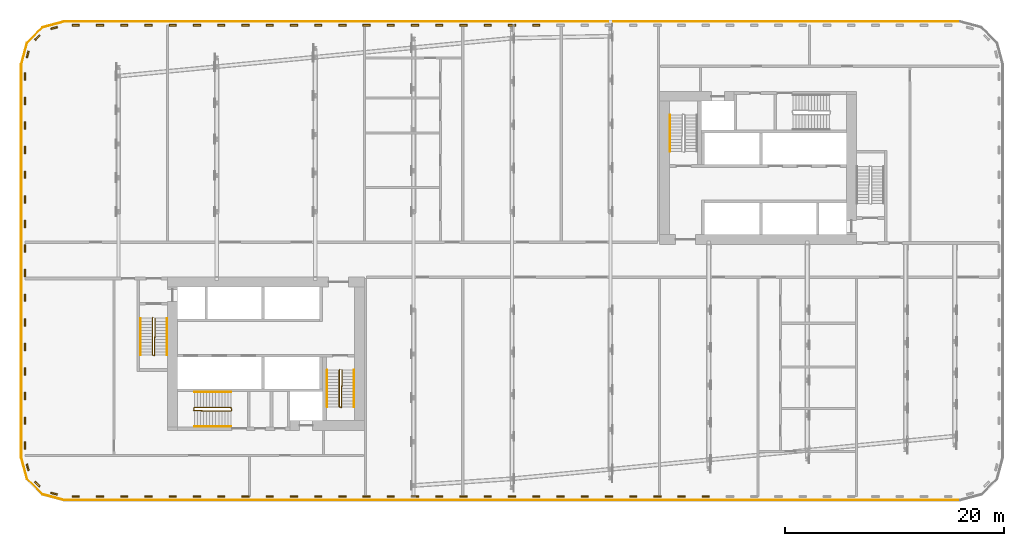
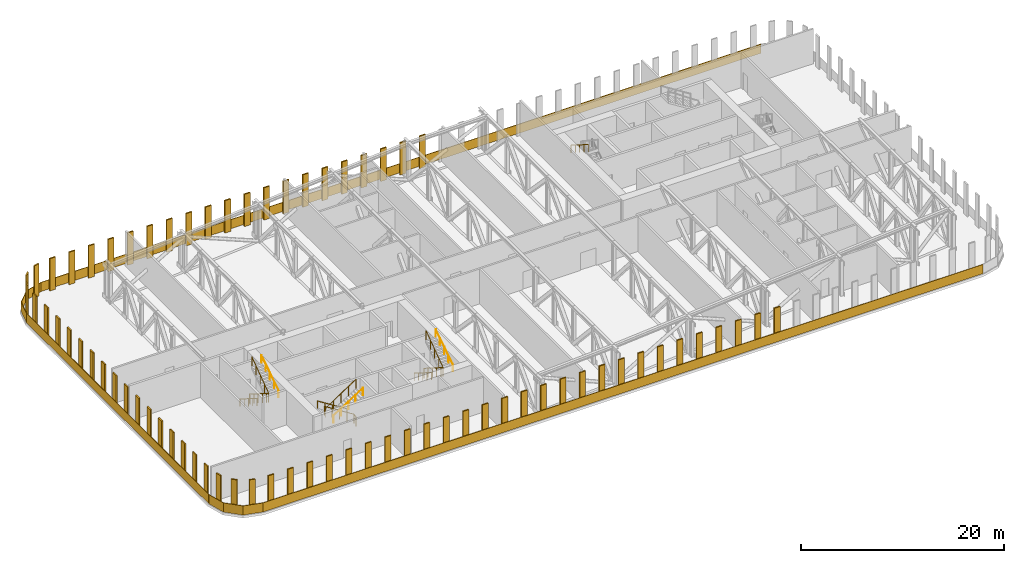
# One storey, part 21 of 22: 69 shading devices, 19 railings.
"""IFC4 building model written with IfcOpenShell, lengths in metres."""

from ifc_helpers import new_model, si_unit, direction, frame, origin, origin_2d, place, context, subcontext, project, spatial, polyline, rectangle, circle, outline, extrude, material, type_object, element, save


model = new_model("IFC4")

# Units and contexts
model_context = context("Model", 3, precision=1e-05, world=origin(), true_north=direction((0.0, 1.0)))
body_context = subcontext(model_context, "Body", "Model", "MODEL_VIEW")
ifc_project = project(units=[si_unit("LENGTHUNIT", "METRE"), si_unit("AREAUNIT", "SQUARE_METRE"), si_unit("VOLUMEUNIT", "CUBIC_METRE"), si_unit("PLANEANGLEUNIT", "RADIAN"), si_unit("MASSUNIT", "GRAM", prefix="KILO")], contexts=[model_context])

# Site, building, storey
site_placement = place(None, origin())
site = spatial("IfcSite", under=ifc_project, at=site_placement, CompositionType="ELEMENT")
building_placement = place(site_placement, origin())
building = spatial("IfcBuilding", under=site, at=building_placement, Name="Kajstack Hotel Tower", CompositionType="ELEMENT")
storey_placement = place(building_placement, frame((0.0, 0.0, 99.60009765625)))
storey = spatial("IfcBuildingStorey", under=building, at=storey_placement, Name="L21", CompositionType="ELEMENT", Elevation=99.60009765625)

# Railings
ifc_material = material(Name="Steel S355J2", Category="steel")
railing_type_1 = type_object("IfcRailingType", Name="GUARD-FACADE", PredefinedType="GUARDRAIL", material=ifc_material)
railing_1_placement = place(storey_placement, frame((-44.3564453125, -19.93798828125, 0.0)))
element("IfcRailing", 1, at=railing_1_placement, inside=storey, type_object=railing_type_1, Name="Guard L21 slab edge 01", PredefinedType="GUARDRAIL", context=body_context, shape_type="SweptSolid", body=[
    extrude(outline(polyline([(1.439697265625, -1.397216796875), (1.397216796875, -1.439697265625), (-0.021240234375, -0.021240234375), (0.021240234375, 0.021240234375), (1.439697265625, -1.397216796875)])), origin(), (0.0, 0.0, 1.0), 1.10009765625),
])
railing_2_placement = place(storey_placement, frame((-42.93798828125, -21.3564453125, 0.0)))
element("IfcRailing", 2, at=railing_2_placement, inside=storey, type_object=railing_type_1, Name="Guard L21 slab edge 02", PredefinedType="GUARDRAIL", context=body_context, shape_type="SweptSolid", body=[
    extrude(outline(polyline([(1.961669921875, -0.494384765625), (1.946044921875, -0.552490234375), (-0.0078125, -0.029052734375), (0.0078125, 0.029052734375), (1.961669921875, -0.494384765625)])), origin(), (0.0, 0.0, 1.0), 1.10009765625),
])
railing_3_placement = place(storey_placement, frame((-40.984130859375, -21.8798828125, 0.0)))
element("IfcRailing", 3, at=railing_3_placement, inside=storey, type_object=railing_type_1, Name="Guard L21 slab edge 03", PredefinedType="GUARDRAIL", context=body_context, shape_type="SweptSolid", body=[
    extrude(outline(polyline([(81.96826171875, 0.030029296875), (81.96826171875, -0.030029296875), (0.0, -0.030029296875), (0.0, 0.030029296875), (81.96826171875, 0.030029296875)])), origin(), (0.0, 0.0, 1.0), 1.10009765625),
])
railing_4_placement = place(storey_placement, frame((40.984130859375, 21.8798828125, 0.0)))
element("IfcRailing", 4, at=railing_4_placement, inside=storey, type_object=railing_type_1, Name="Guard L21 slab edge 11", PredefinedType="GUARDRAIL", context=body_context, shape_type="SweptSolid", body=[
    extrude(outline(polyline([(-81.96826171875, -0.030029296875), (-81.96826171875, 0.030029296875), (0.0, 0.030029296875), (0.0, -0.030029296875), (-81.96826171875, -0.030029296875)])), origin(), (0.0, 0.0, 1.0), 1.10009765625),
])
railing_5_placement = place(storey_placement, frame((-40.984130859375, 21.8798828125, 0.0)))
element("IfcRailing", 5, at=railing_5_placement, inside=storey, type_object=railing_type_1, Name="Guard L21 slab edge 12", PredefinedType="GUARDRAIL", context=body_context, shape_type="SweptSolid", body=[
    extrude(outline(polyline([(-1.946044921875, -0.552490234375), (-1.961669921875, -0.494384765625), (-0.0078125, 0.029052734375), (0.0078125, -0.029052734375), (-1.946044921875, -0.552490234375)])), origin(), (0.0, 0.0, 1.0), 1.10009765625),
])
railing_6_placement = place(storey_placement, frame((-42.93798828125, 21.3564453125, 0.0)))
element("IfcRailing", 6, at=railing_6_placement, inside=storey, type_object=railing_type_1, Name="Guard L21 slab edge 13", PredefinedType="GUARDRAIL", context=body_context, shape_type="SweptSolid", body=[
    extrude(outline(polyline([(-1.397216796875, -1.439697265625), (-1.439697265625, -1.397216796875), (-0.021240234375, 0.021240234375), (0.021240234375, -0.021240234375), (-1.397216796875, -1.439697265625)])), origin(), (0.0, 0.0, 1.0), 1.10009765625),
])
railing_7_placement = place(storey_placement, frame((-44.3564453125, 19.93798828125, 0.0)))
element("IfcRailing", 7, at=railing_7_placement, inside=storey, type_object=railing_type_1, Name="Guard L21 slab edge 14", PredefinedType="GUARDRAIL", context=body_context, shape_type="SweptSolid", body=[
    extrude(outline(polyline([(-0.494384765625, -1.961669921875), (-0.552490234375, -1.946044921875), (-0.029052734375, 0.0078125), (0.029052734375, -0.0078125), (-0.494384765625, -1.961669921875)])), origin(), (0.0, 0.0, 1.0), 1.10009765625),
])
railing_8_placement = place(storey_placement, frame((-44.8798828125, 17.984130859375, 0.0)))
element("IfcRailing", 8, at=railing_8_placement, inside=storey, type_object=railing_type_1, Name="Guard L21 slab edge 15", PredefinedType="GUARDRAIL", context=body_context, shape_type="SweptSolid", body=[
    extrude(outline(polyline([(0.030029296875, -35.96826171875), (-0.030029296875, -35.96826171875), (-0.030029296875, 0.0), (0.030029296875, 0.0), (0.030029296875, -35.96826171875)])), origin(), (0.0, 0.0, 1.0), 1.10009765625),
])
railing_9_placement = place(storey_placement, frame((-44.8798828125, -17.984130859375, 0.0)))
element("IfcRailing", 9, at=railing_9_placement, inside=storey, type_object=railing_type_1, Name="Guard L21 slab edge 16", PredefinedType="GUARDRAIL", context=body_context, shape_type="SweptSolid", body=[
    extrude(outline(polyline([(0.552490234375, -1.946044921875), (0.494384765625, -1.961669921875), (-0.029052734375, -0.0078125), (0.029052734375, 0.0078125), (0.552490234375, -1.946044921875)])), origin(), (0.0, 0.0, 1.0), 1.10009765625),
])
railing_type_2 = type_object("IfcRailingType", Name="Stair guard 1100", PredefinedType="GUARDRAIL", material=ifc_material)
railing_10_placement = place(storey_placement, frame((-32.85009765625, -5.199951171875, 0.0)))
element("IfcRailing", 10, at=railing_10_placement, inside=storey, type_object=railing_type_2, Name="L21 W1 stair guard 1", PredefinedType="GUARDRAIL", context=body_context, shape_type="SweptSolid", body=[
    extrude(circle(Radius=0.02392578125, at=origin_2d()), frame((0.0, 0.0, 1.076171875), z_axis=(-0.261663861435, -0.262946527422, 0.928650174897), x_axis=(0.708833529934, -0.705375805398, 0.0)), (0.0, 0.0, 1.0), 0.1904296875),
    extrude(circle(Radius=0.02392578125, at=origin_2d()), frame((-0.0498046875, -0.050048828125, 1.2529296875), z_axis=(0.0, -0.845389635667, 0.534150132366), x_axis=(1.0, 0.0, 0.0)), (0.0, 0.0, 1.0), 3.974609375),
    extrude(circle(Radius=0.02392578125, at=origin_2d()), frame((-0.0498046875, -3.41015625, 3.3759765625), z_axis=(0.970351222016, -0.241699205484, 0.0), x_axis=(0.241699205484, 0.970351222016, 0.0)), (0.0, 0.0, 1.0), 0.2060546875),
    extrude(circle(Radius=0.02392578125, at=origin_2d()), frame((0.150146484375, -3.4599609375, 3.3759765625), z_axis=(0.012167203753, 0.828972364935, 0.559157202696), x_axis=(-0.999892303572, 0.014675873289, 0.0)), (0.0, 0.0, 1.0), 4.113525390625),
    extrude(circle(Radius=0.02099609375, at=origin_2d()), origin(), (0.0, 0.0, 1.0), 1.052001953125),
    extrude(circle(Radius=0.02099609375, at=origin_2d()), frame((-0.0498046875, -0.050048828125, 0.1767578125)), (0.0, 0.0, 1.0), 1.052001953125),
    extrude(circle(Radius=0.02099609375, at=origin_2d()), frame((-0.0498046875, -0.89013671875, 0.70751953125)), (0.0, 0.0, 1.0), 1.052001953125),
    extrude(circle(Radius=0.02099609375, at=origin_2d()), frame((-0.0498046875, -1.72998046875, 1.23828125)), (0.0, 0.0, 1.0), 1.052001953125),
    extrude(circle(Radius=0.02099609375, at=origin_2d()), frame((-0.0498046875, -2.570068359375, 1.76904296875)), (0.0, 0.0, 1.0), 1.052001953125),
    extrude(circle(Radius=0.02099609375, at=origin_2d()), frame((-0.0498046875, -3.41015625, 2.2998046875)), (0.0, 0.0, 1.0), 1.052001953125),
    extrude(circle(Radius=0.02099609375, at=origin_2d()), frame((0.150146484375, -3.4599609375, 2.2998046875)), (0.0, 0.0, 1.0), 1.052001953125),
    extrude(circle(Radius=0.02099609375, at=origin_2d()), frame((0.16259765625, -2.607421875, 2.874755859375)), (0.0, 0.0, 1.0), 1.052001953125),
    extrude(circle(Radius=0.02099609375, at=origin_2d()), frame((0.17529296875, -1.7548828125, 3.44970703125)), (0.0, 0.0, 1.0), 1.052001953125),
    extrude(circle(Radius=0.02099609375, at=origin_2d()), frame((0.187744140625, -0.902587890625, 4.02490234375)), (0.0, 0.0, 1.0), 1.052001953125),
    extrude(circle(Radius=0.02099609375, at=origin_2d()), frame((0.2001953125, -0.050048828125, 4.599853515625)), (0.0, 0.0, 1.0), 1.052001953125),
])
railing_11_placement = place(storey_placement, frame((-15.75, -9.949951171875, 0.0)))
element("IfcRailing", 11, at=railing_11_placement, inside=storey, type_object=railing_type_2, Name="L21 W2 stair guard 1", PredefinedType="GUARDRAIL", context=body_context, shape_type="SweptSolid", body=[
    extrude(circle(Radius=0.02392578125, at=origin_2d()), frame((0.0, 0.0, 1.076171875), z_axis=(-0.262858103699, -0.262858103699, 0.928337888185), x_axis=(0.707106781187, -0.707106781187, 0.0)), (0.0, 0.0, 1.0), 0.1904296875),
    extrude(circle(Radius=0.02392578125, at=origin_2d()), frame((-0.050048828125, -0.050048828125, 1.2529296875), z_axis=(0.0, -0.845389635667, 0.534150132366), x_axis=(1.0, 0.0, 0.0)), (0.0, 0.0, 1.0), 3.974609375),
    extrude(circle(Radius=0.02392578125, at=origin_2d()), frame((-0.050048828125, -3.41015625, 3.3759765625), z_axis=(0.970351222016, -0.241699205484, 0.0), x_axis=(0.241699205484, 0.970351222016, 0.0)), (0.0, 0.0, 1.0), 0.2060546875),
    extrude(circle(Radius=0.02392578125, at=origin_2d()), frame((0.14990234375, -3.4599609375, 3.3759765625), z_axis=(0.012167203753, 0.828972364935, 0.559157202696), x_axis=(-0.999892303572, 0.014675873289, 0.0)), (0.0, 0.0, 1.0), 4.113525390625),
    extrude(circle(Radius=0.02099609375, at=origin_2d()), origin(), (0.0, 0.0, 1.0), 1.052001953125),
    extrude(circle(Radius=0.02099609375, at=origin_2d()), frame((-0.050048828125, -0.050048828125, 0.1767578125)), (0.0, 0.0, 1.0), 1.052001953125),
    extrude(circle(Radius=0.02099609375, at=origin_2d()), frame((-0.050048828125, -0.89013671875, 0.70751953125)), (0.0, 0.0, 1.0), 1.052001953125),
    extrude(circle(Radius=0.02099609375, at=origin_2d()), frame((-0.050048828125, -1.72998046875, 1.23828125)), (0.0, 0.0, 1.0), 1.052001953125),
    extrude(circle(Radius=0.02099609375, at=origin_2d()), frame((-0.050048828125, -2.570068359375, 1.76904296875)), (0.0, 0.0, 1.0), 1.052001953125),
    extrude(circle(Radius=0.02099609375, at=origin_2d()), frame((-0.050048828125, -3.41015625, 2.2998046875)), (0.0, 0.0, 1.0), 1.052001953125),
    extrude(circle(Radius=0.02099609375, at=origin_2d()), frame((0.14990234375, -3.4599609375, 2.2998046875)), (0.0, 0.0, 1.0), 1.052001953125),
    extrude(circle(Radius=0.02099609375, at=origin_2d()), frame((0.162353515625, -2.607421875, 2.874755859375)), (0.0, 0.0, 1.0), 1.052001953125),
    extrude(circle(Radius=0.02099609375, at=origin_2d()), frame((0.1748046875, -1.7548828125, 3.44970703125)), (0.0, 0.0, 1.0), 1.052001953125),
    extrude(circle(Radius=0.02099609375, at=origin_2d()), frame((0.1875, -0.902587890625, 4.02490234375)), (0.0, 0.0, 1.0), 1.052001953125),
    extrude(circle(Radius=0.02099609375, at=origin_2d()), frame((0.199951171875, -0.050048828125, 4.599853515625)), (0.0, 0.0, 1.0), 1.052001953125),
])
railing_12_placement = place(storey_placement, frame((-25.64990234375, -13.699951171875, 0.0)))
element("IfcRailing", 12, at=railing_12_placement, inside=storey, type_object=railing_type_2, Name="L21 W3 stair guard 1", PredefinedType="GUARDRAIL", context=body_context, shape_type="SweptSolid", body=[
    extrude(circle(Radius=0.02392578125, at=origin_2d()), frame((0.0, 0.0, 1.076171875), z_axis=(-0.142256803, 0.852846882373, 0.502409392057), x_axis=(-0.986372223864, -0.164529134168, 0.0)), (0.0, 0.0, 1.0), 0.351806640625),
    extrude(circle(Radius=0.02392578125, at=origin_2d()), frame((-0.050048828125, 0.300048828125, 1.2529296875), z_axis=(-0.845389635667, 0.0, 0.534150132366), x_axis=(0.0, -1.0, 0.0)), (0.0, 0.0, 1.0), 3.974609375),
    extrude(circle(Radius=0.02392578125, at=origin_2d()), frame((-3.41015625, 0.300048828125, 3.3759765625), z_axis=(-0.164529134168, -0.986372223864, 0.0), x_axis=(0.986372223864, -0.164529134168, 0.0)), (0.0, 0.0, 1.0), 0.30419921875),
    extrude(circle(Radius=0.02392578125, at=origin_2d()), frame((-3.460205078125, 0.0, 3.3759765625), z_axis=(0.828990929223, -0.012166605133, 0.559129692455), x_axis=(0.014674822837, 0.99989231899, 0.0)), (0.0, 0.0, 1.0), 4.113525390625),
    extrude(circle(Radius=0.02099609375, at=origin_2d()), origin(), (0.0, 0.0, 1.0), 1.052001953125),
    extrude(circle(Radius=0.02099609375, at=origin_2d()), frame((-0.050048828125, 0.300048828125, 0.1767578125)), (0.0, 0.0, 1.0), 1.052001953125),
    extrude(circle(Radius=0.02099609375, at=origin_2d()), frame((-0.89013671875, 0.300048828125, 0.70751953125)), (0.0, 0.0, 1.0), 1.052001953125),
    extrude(circle(Radius=0.02099609375, at=origin_2d()), frame((-1.72998046875, 0.300048828125, 1.23828125)), (0.0, 0.0, 1.0), 1.052001953125),
    extrude(circle(Radius=0.02099609375, at=origin_2d()), frame((-2.570068359375, 0.300048828125, 1.76904296875)), (0.0, 0.0, 1.0), 1.052001953125),
    extrude(circle(Radius=0.02099609375, at=origin_2d()), frame((-3.41015625, 0.300048828125, 2.2998046875)), (0.0, 0.0, 1.0), 1.052001953125),
    extrude(circle(Radius=0.02099609375, at=origin_2d()), frame((-3.460205078125, 0.0, 2.2998046875)), (0.0, 0.0, 1.0), 1.052001953125),
    extrude(circle(Radius=0.02099609375, at=origin_2d()), frame((-2.607666015625, -0.012451171875, 2.874755859375)), (0.0, 0.0, 1.0), 1.052001953125),
    extrude(circle(Radius=0.02099609375, at=origin_2d()), frame((-1.755126953125, -0.02490234375, 3.44970703125)), (0.0, 0.0, 1.0), 1.052001953125),
    extrude(circle(Radius=0.02099609375, at=origin_2d()), frame((-0.902587890625, -0.03759765625, 4.02490234375)), (0.0, 0.0, 1.0), 1.052001953125),
    extrude(circle(Radius=0.02099609375, at=origin_2d()), frame((-0.050048828125, -0.050048828125, 4.599853515625)), (0.0, 0.0, 1.0), 1.052001953125),
])
railing_type_3 = type_object("IfcRailingType", Name="Stair handrail 900", PredefinedType="HANDRAIL", material=ifc_material)
railing_13_placement = place(storey_placement, frame((-34.0, -5.25, 0.1767578125)))
element("IfcRailing", 13, at=railing_13_placement, inside=storey, type_object=railing_type_3, Name="L21 W1 stair handrail 1", PredefinedType="HANDRAIL", context=body_context, shape_type="SweptSolid", body=[
    extrude(circle(Radius=0.02392578125, at=origin_2d()), frame((0.0, 0.0, 0.8759765625), z_axis=(0.0, -0.845389635667, 0.534150132366), x_axis=(1.0, 0.0, 0.0)), (0.0, 0.0, 1.0), 3.974609375),
    extrude(circle(Radius=0.02099609375, at=origin_2d()), origin(), (0.0, 0.0, 1.0), 0.851806640625),
    extrude(circle(Radius=0.02099609375, at=origin_2d()), frame((0.0, -0.840087890625, 0.53076171875)), (0.0, 0.0, 1.0), 0.851806640625),
    extrude(circle(Radius=0.02099609375, at=origin_2d()), frame((0.0, -1.68017578125, 1.0615234375)), (0.0, 0.0, 1.0), 0.851806640625),
    extrude(circle(Radius=0.02099609375, at=origin_2d()), frame((0.0, -2.52001953125, 1.59228515625)), (0.0, 0.0, 1.0), 0.851806640625),
    extrude(circle(Radius=0.02099609375, at=origin_2d()), frame((0.0, -3.360107421875, 2.123046875)), (0.0, 0.0, 1.0), 0.851806640625),
])
railing_14_placement = place(storey_placement, frame((-31.550048828125, -8.610107421875, 2.476806640625)))
element("IfcRailing", 14, at=railing_14_placement, inside=storey, type_object=railing_type_3, Name="L21 W1 stair handrail 2", PredefinedType="HANDRAIL", context=body_context, shape_type="SweptSolid", body=[
    extrude(circle(Radius=0.02392578125, at=origin_2d()), frame((0.0, 0.0, 0.8759765625), z_axis=(0.0, 0.845389635667, 0.534150132366), x_axis=(-1.0, 0.0, 0.0)), (0.0, 0.0, 1.0), 3.974609375),
    extrude(circle(Radius=0.02099609375, at=origin_2d()), origin(), (0.0, 0.0, 1.0), 0.851806640625),
    extrude(circle(Radius=0.02099609375, at=origin_2d()), frame((0.0, 0.840087890625, 0.53076171875)), (0.0, 0.0, 1.0), 0.851806640625),
    extrude(circle(Radius=0.02099609375, at=origin_2d()), frame((0.0, 1.68017578125, 1.0615234375)), (0.0, 0.0, 1.0), 0.851806640625),
    extrude(circle(Radius=0.02099609375, at=origin_2d()), frame((0.0, 2.52001953125, 1.59228515625)), (0.0, 0.0, 1.0), 0.851806640625),
    extrude(circle(Radius=0.02099609375, at=origin_2d()), frame((0.0, 3.360107421875, 2.123046875)), (0.0, 0.0, 1.0), 0.851806640625),
])
railing_15_placement = place(storey_placement, frame((-16.89990234375, -10.0, 0.1767578125)))
element("IfcRailing", 15, at=railing_15_placement, inside=storey, type_object=railing_type_3, Name="L21 W2 stair handrail 1", PredefinedType="HANDRAIL", context=body_context, shape_type="SweptSolid", body=[
    extrude(circle(Radius=0.02392578125, at=origin_2d()), frame((0.0, 0.0, 0.8759765625), z_axis=(0.0, -0.845389635667, 0.534150132366), x_axis=(1.0, 0.0, 0.0)), (0.0, 0.0, 1.0), 3.974609375),
    extrude(circle(Radius=0.02099609375, at=origin_2d()), origin(), (0.0, 0.0, 1.0), 0.851806640625),
    extrude(circle(Radius=0.02099609375, at=origin_2d()), frame((0.0, -0.840087890625, 0.53076171875)), (0.0, 0.0, 1.0), 0.851806640625),
    extrude(circle(Radius=0.02099609375, at=origin_2d()), frame((0.0, -1.68017578125, 1.0615234375)), (0.0, 0.0, 1.0), 0.851806640625),
    extrude(circle(Radius=0.02099609375, at=origin_2d()), frame((0.0, -2.52001953125, 1.59228515625)), (0.0, 0.0, 1.0), 0.851806640625),
    extrude(circle(Radius=0.02099609375, at=origin_2d()), frame((0.0, -3.360107421875, 2.123046875)), (0.0, 0.0, 1.0), 0.851806640625),
])
railing_16_placement = place(storey_placement, frame((-14.449951171875, -13.360107421875, 2.476806640625)))
element("IfcRailing", 16, at=railing_16_placement, inside=storey, type_object=railing_type_3, Name="L21 W2 stair handrail 2", PredefinedType="HANDRAIL", context=body_context, shape_type="SweptSolid", body=[
    extrude(circle(Radius=0.02392578125, at=origin_2d()), frame((0.0, 0.0, 0.8759765625), z_axis=(0.0, 0.845389635667, 0.534150132366), x_axis=(-1.0, 0.0, 0.0)), (0.0, 0.0, 1.0), 3.974609375),
    extrude(circle(Radius=0.02099609375, at=origin_2d()), origin(), (0.0, 0.0, 1.0), 0.851806640625),
    extrude(circle(Radius=0.02099609375, at=origin_2d()), frame((0.0, 0.840087890625, 0.53076171875)), (0.0, 0.0, 1.0), 0.851806640625),
    extrude(circle(Radius=0.02099609375, at=origin_2d()), frame((0.0, 1.68017578125, 1.0615234375)), (0.0, 0.0, 1.0), 0.851806640625),
    extrude(circle(Radius=0.02099609375, at=origin_2d()), frame((0.0, 2.52001953125, 1.59228515625)), (0.0, 0.0, 1.0), 0.851806640625),
    extrude(circle(Radius=0.02099609375, at=origin_2d()), frame((0.0, 3.360107421875, 2.123046875)), (0.0, 0.0, 1.0), 0.851806640625),
])
railing_17_placement = place(storey_placement, frame((-25.699951171875, -12.0, 0.1767578125)))
element("IfcRailing", 17, at=railing_17_placement, inside=storey, type_object=railing_type_3, Name="L21 W3 stair handrail 1", PredefinedType="HANDRAIL", context=body_context, shape_type="SweptSolid", body=[
    extrude(circle(Radius=0.02392578125, at=origin_2d()), frame((0.0, 0.0, 0.8759765625), z_axis=(-0.845389635667, 0.0, 0.534150132366), x_axis=(0.0, -1.0, 0.0)), (0.0, 0.0, 1.0), 3.974609375),
    extrude(circle(Radius=0.02099609375, at=origin_2d()), origin(), (0.0, 0.0, 1.0), 0.851806640625),
    extrude(circle(Radius=0.02099609375, at=origin_2d()), frame((-0.840087890625, 0.0, 0.53076171875)), (0.0, 0.0, 1.0), 0.851806640625),
    extrude(circle(Radius=0.02099609375, at=origin_2d()), frame((-1.68017578125, 0.0, 1.0615234375)), (0.0, 0.0, 1.0), 0.851806640625),
    extrude(circle(Radius=0.02099609375, at=origin_2d()), frame((-2.52001953125, 0.0, 1.59228515625)), (0.0, 0.0, 1.0), 0.851806640625),
    extrude(circle(Radius=0.02099609375, at=origin_2d()), frame((-3.360107421875, 0.0, 2.123046875)), (0.0, 0.0, 1.0), 0.851806640625),
])
railing_18_placement = place(storey_placement, frame((-29.06005859375, -15.14990234375, 2.476806640625)))
element("IfcRailing", 18, at=railing_18_placement, inside=storey, type_object=railing_type_3, Name="L21 W3 stair handrail 2", PredefinedType="HANDRAIL", context=body_context, shape_type="SweptSolid", body=[
    extrude(circle(Radius=0.02392578125, at=origin_2d()), frame((0.0, 0.0, 0.8759765625), z_axis=(0.845389635667, 0.0, 0.534150132366), x_axis=(0.0, 1.0, 0.0)), (0.0, 0.0, 1.0), 3.974609375),
    extrude(circle(Radius=0.02099609375, at=origin_2d()), origin(), (0.0, 0.0, 1.0), 0.851806640625),
    extrude(circle(Radius=0.02099609375, at=origin_2d()), frame((0.840087890625, 0.0, 0.53076171875)), (0.0, 0.0, 1.0), 0.851806640625),
    extrude(circle(Radius=0.02099609375, at=origin_2d()), frame((1.68017578125, 0.0, 1.0615234375)), (0.0, 0.0, 1.0), 0.851806640625),
    extrude(circle(Radius=0.02099609375, at=origin_2d()), frame((2.52001953125, 0.0, 1.59228515625)), (0.0, 0.0, 1.0), 0.851806640625),
    extrude(circle(Radius=0.02099609375, at=origin_2d()), frame((3.360107421875, 0.0, 2.123046875)), (0.0, 0.0, 1.0), 0.851806640625),
])
railing_19_placement = place(storey_placement, frame((14.449951171875, 13.360107421875, 2.476806640625)))
element("IfcRailing", 19, at=railing_19_placement, inside=storey, type_object=railing_type_3, Name="L21 E2 stair handrail 2", PredefinedType="HANDRAIL", context=body_context, shape_type="SweptSolid", body=[
    extrude(circle(Radius=0.02392578125, at=origin_2d()), frame((0.0, 0.0, 0.8759765625), z_axis=(0.0, -0.845389635667, 0.534150132366), x_axis=(1.0, 0.0, 0.0)), (0.0, 0.0, 1.0), 3.974609375),
    extrude(circle(Radius=0.02099609375, at=origin_2d()), origin(), (0.0, 0.0, 1.0), 0.851806640625),
    extrude(circle(Radius=0.02099609375, at=origin_2d()), frame((0.0, -0.840087890625, 0.53076171875)), (0.0, 0.0, 1.0), 0.851806640625),
    extrude(circle(Radius=0.02099609375, at=origin_2d()), frame((0.0, -1.68017578125, 1.0615234375)), (0.0, 0.0, 1.0), 0.851806640625),
    extrude(circle(Radius=0.02099609375, at=origin_2d()), frame((0.0, -2.52001953125, 1.59228515625)), (0.0, 0.0, 1.0), 0.851806640625),
    extrude(circle(Radius=0.02099609375, at=origin_2d()), frame((0.0, -3.360107421875, 2.123046875)), (0.0, 0.0, 1.0), 0.851806640625),
])

# Shading devices
for number, where, z_axis, x_axis, name in (
    (20, (-44.29736328125, -18.883544921875, 0.0), (0.0, 0.0, 1.0), (0.258819770022, -0.965925632047, 0.0), "Screen L21-00-01"),
    (21, (-43.413818359375, -20.413818359375, 0.0), (0.0, 0.0, 1.0), (0.707106781187, -0.707106781187, 0.0), "Screen L21-01-01"),
    (22, (-41.883544921875, -21.29736328125, 0.0), (0.0, 0.0, 1.0), (0.965925632047, -0.258819770022, 0.0), "Screen L21-02-01"),
):
    element("IfcShadingDevice", number, at=place(storey_placement, frame(where, z_axis=z_axis, x_axis=x_axis)), inside=storey, Name=name, ObjectType="SCREEN", PredefinedType="USERDEFINED", context=body_context, shape_type="SweptSolid", body=[
        extrude(rectangle(XDim=0.62109375, YDim=0.14990234375, at=origin_2d()), origin(), (0.0, 0.0, 1.0), 3.89990234375),
    ])
for number, where, z_axis, x_axis, name in (
    (23, (-39.891845703125, -21.550048828125, 0.0), (0.0, 0.0, 1.0), (1.0, 0.0, 0.0), "Screen L21-03-01"),
    (24, (-37.67578125, -21.550048828125, 0.0), (0.0, 0.0, 1.0), (1.0, 0.0, 0.0), "Screen L21-03-02"),
    (25, (-35.45947265625, -21.550048828125, 0.0), (0.0, 0.0, 1.0), (1.0, 0.0, 0.0), "Screen L21-03-03"),
    (26, (-33.2431640625, -21.550048828125, 0.0), (0.0, 0.0, 1.0), (1.0, 0.0, 0.0), "Screen L21-03-04"),
    (27, (-31.027099609375, -21.550048828125, 0.0), (0.0, 0.0, 1.0), (1.0, 0.0, 0.0), "Screen L21-03-05"),
    (28, (-28.810791015625, -21.550048828125, 0.0), (0.0, 0.0, 1.0), (1.0, 0.0, 0.0), "Screen L21-03-06"),
    (29, (-26.594482421875, -21.550048828125, 0.0), (0.0, 0.0, 1.0), (1.0, 0.0, 0.0), "Screen L21-03-07"),
    (30, (-24.37841796875, -21.550048828125, 0.0), (0.0, 0.0, 1.0), (1.0, 0.0, 0.0), "Screen L21-03-08"),
    (31, (-22.162109375, -21.550048828125, 0.0), (0.0, 0.0, 1.0), (1.0, 0.0, 0.0), "Screen L21-03-09"),
    (32, (-19.946044921875, -21.550048828125, 0.0), (0.0, 0.0, 1.0), (1.0, 0.0, 0.0), "Screen L21-03-10"),
    (33, (-17.729736328125, -21.550048828125, 0.0), (0.0, 0.0, 1.0), (1.0, 0.0, 0.0), "Screen L21-03-11"),
    (34, (-15.513427734375, -21.550048828125, 0.0), (0.0, 0.0, 1.0), (1.0, 0.0, 0.0), "Screen L21-03-12"),
    (35, (-13.29736328125, -21.550048828125, 0.0), (0.0, 0.0, 1.0), (1.0, 0.0, 0.0), "Screen L21-03-13"),
    (36, (-11.0810546875, -21.550048828125, 0.0), (0.0, 0.0, 1.0), (1.0, 0.0, 0.0), "Screen L21-03-14"),
    (37, (-8.86474609375, -21.550048828125, 0.0), (0.0, 0.0, 1.0), (1.0, 0.0, 0.0), "Screen L21-03-15"),
    (38, (-6.648681640625, -21.550048828125, 0.0), (0.0, 0.0, 1.0), (1.0, 0.0, 0.0), "Screen L21-03-16"),
    (39, (-4.432373046875, -21.550048828125, 0.0), (0.0, 0.0, 1.0), (1.0, 0.0, 0.0), "Screen L21-03-17"),
    (40, (-2.21630859375, -21.550048828125, 0.0), (0.0, 0.0, 1.0), (1.0, 0.0, 0.0), "Screen L21-03-18"),
    (41, (0.0, -21.550048828125, 0.0), (0.0, 0.0, 1.0), (1.0, 0.0, 0.0), "Screen L21-03-19"),
    (42, (2.21630859375, -21.550048828125, 0.0), (0.0, 0.0, 1.0), (1.0, 0.0, 0.0), "Screen L21-03-20"),
    (43, (4.432373046875, -21.550048828125, 0.0), (0.0, 0.0, 1.0), (1.0, 0.0, 0.0), "Screen L21-03-21"),
    (44, (6.648681640625, -21.550048828125, 0.0), (0.0, 0.0, 1.0), (1.0, 0.0, 0.0), "Screen L21-03-22"),
    (45, (8.86474609375, -21.550048828125, 0.0), (0.0, 0.0, 1.0), (1.0, 0.0, 0.0), "Screen L21-03-23"),
    (46, (11.0810546875, -21.550048828125, 0.0), (0.0, 0.0, 1.0), (1.0, 0.0, 0.0), "Screen L21-03-24"),
    (47, (13.29736328125, -21.550048828125, 0.0), (0.0, 0.0, 1.0), (1.0, 0.0, 0.0), "Screen L21-03-25"),
    (48, (15.513427734375, -21.550048828125, 0.0), (0.0, 0.0, 1.0), (1.0, 0.0, 0.0), "Screen L21-03-26"),
    (49, (17.729736328125, -21.550048828125, 0.0), (0.0, 0.0, 1.0), (1.0, 0.0, 0.0), "Screen L21-03-27"),
    (50, (2.21630859375, 21.550048828125, 0.0), (0.0, 0.0, 1.0), (-1.0, 0.0, 0.0), "Screen L21-11-18"),
    (51, (0.0, 21.550048828125, 0.0), (0.0, 0.0, 1.0), (-1.0, 0.0, 0.0), "Screen L21-11-19"),
    (52, (-2.21630859375, 21.550048828125, 0.0), (0.0, 0.0, 1.0), (-1.0, 0.0, 0.0), "Screen L21-11-20"),
    (53, (-4.432373046875, 21.550048828125, 0.0), (0.0, 0.0, 1.0), (-1.0, 0.0, 0.0), "Screen L21-11-21"),
    (54, (-6.648681640625, 21.550048828125, 0.0), (0.0, 0.0, 1.0), (-1.0, 0.0, 0.0), "Screen L21-11-22"),
    (55, (-8.86474609375, 21.550048828125, 0.0), (0.0, 0.0, 1.0), (-1.0, 0.0, 0.0), "Screen L21-11-23"),
    (56, (-11.0810546875, 21.550048828125, 0.0), (0.0, 0.0, 1.0), (-1.0, 0.0, 0.0), "Screen L21-11-24"),
    (57, (-13.29736328125, 21.550048828125, 0.0), (0.0, 0.0, 1.0), (-1.0, 0.0, 0.0), "Screen L21-11-25"),
    (58, (-15.513427734375, 21.550048828125, 0.0), (0.0, 0.0, 1.0), (-1.0, 0.0, 0.0), "Screen L21-11-26"),
    (59, (-17.729736328125, 21.550048828125, 0.0), (0.0, 0.0, 1.0), (-1.0, 0.0, 0.0), "Screen L21-11-27"),
    (60, (-19.946044921875, 21.550048828125, 0.0), (0.0, 0.0, 1.0), (-1.0, 0.0, 0.0), "Screen L21-11-28"),
    (61, (-22.162109375, 21.550048828125, 0.0), (0.0, 0.0, 1.0), (-1.0, 0.0, 0.0), "Screen L21-11-29"),
    (62, (-24.37841796875, 21.550048828125, 0.0), (0.0, 0.0, 1.0), (-1.0, 0.0, 0.0), "Screen L21-11-30"),
    (63, (-26.594482421875, 21.550048828125, 0.0), (0.0, 0.0, 1.0), (-1.0, 0.0, 0.0), "Screen L21-11-31"),
    (64, (-28.810791015625, 21.550048828125, 0.0), (0.0, 0.0, 1.0), (-1.0, 0.0, 0.0), "Screen L21-11-32"),
    (65, (-31.027099609375, 21.550048828125, 0.0), (0.0, 0.0, 1.0), (-1.0, 0.0, 0.0), "Screen L21-11-33"),
    (66, (-33.2431640625, 21.550048828125, 0.0), (0.0, 0.0, 1.0), (-1.0, 0.0, 0.0), "Screen L21-11-34"),
    (67, (-35.45947265625, 21.550048828125, 0.0), (0.0, 0.0, 1.0), (-1.0, 0.0, 0.0), "Screen L21-11-35"),
    (68, (-37.67578125, 21.550048828125, 0.0), (0.0, 0.0, 1.0), (-1.0, 0.0, 0.0), "Screen L21-11-36"),
    (69, (-39.891845703125, 21.550048828125, 0.0), (0.0, 0.0, 1.0), (-1.0, 0.0, 0.0), "Screen L21-11-37"),
):
    element("IfcShadingDevice", number, at=place(storey_placement, frame(where, z_axis=z_axis, x_axis=x_axis)), inside=storey, Name=name, ObjectType="SCREEN", PredefinedType="USERDEFINED", context=body_context, shape_type="SweptSolid", body=[
        extrude(rectangle(XDim=0.664794921875, YDim=0.14990234375, at=origin_2d()), origin(), (0.0, 0.0, 1.0), 3.89990234375),
    ])
for number, where, z_axis, x_axis, name in (
    (70, (-41.883544921875, 21.29736328125, 0.0), (0.0, 0.0, 1.0), (-0.965925632047, -0.258819770022, 0.0), "Screen L21-12-01"),
    (71, (-43.413818359375, 20.413818359375, 0.0), (0.0, 0.0, 1.0), (-0.707106781187, -0.707106781187, 0.0), "Screen L21-13-01"),
    (72, (-44.29736328125, 18.883544921875, 0.0), (0.0, 0.0, 1.0), (-0.258819770022, -0.965925632047, 0.0), "Screen L21-14-01"),
):
    element("IfcShadingDevice", number, at=place(storey_placement, frame(where, z_axis=z_axis, x_axis=x_axis)), inside=storey, Name=name, ObjectType="SCREEN", PredefinedType="USERDEFINED", context=body_context, shape_type="SweptSolid", body=[
        extrude(rectangle(XDim=0.62109375, YDim=0.14990234375, at=origin_2d()), origin(), (0.0, 0.0, 1.0), 3.89990234375),
    ])
for number, where, z_axis, x_axis, name in (
    (73, (-44.550048828125, 16.875, 0.0), (0.0, 0.0, 1.0), (0.0, -1.0, 0.0), "Screen L21-15-01"),
    (74, (-44.550048828125, 14.625, 0.0), (0.0, 0.0, 1.0), (0.0, -1.0, 0.0), "Screen L21-15-02"),
    (75, (-44.550048828125, 12.375, 0.0), (0.0, 0.0, 1.0), (0.0, -1.0, 0.0), "Screen L21-15-03"),
    (76, (-44.550048828125, 10.125, 0.0), (0.0, 0.0, 1.0), (0.0, -1.0, 0.0), "Screen L21-15-04"),
    (77, (-44.550048828125, 7.875, 0.0), (0.0, 0.0, 1.0), (0.0, -1.0, 0.0), "Screen L21-15-05"),
    (78, (-44.550048828125, 5.625, 0.0), (0.0, 0.0, 1.0), (0.0, -1.0, 0.0), "Screen L21-15-06"),
    (79, (-44.550048828125, 3.375, 0.0), (0.0, 0.0, 1.0), (0.0, -1.0, 0.0), "Screen L21-15-07"),
    (80, (-44.550048828125, 1.125, 0.0), (0.0, 0.0, 1.0), (0.0, -1.0, 0.0), "Screen L21-15-08"),
    (81, (-44.550048828125, -1.125, 0.0), (0.0, 0.0, 1.0), (0.0, -1.0, 0.0), "Screen L21-15-09"),
    (82, (-44.550048828125, -3.375, 0.0), (0.0, 0.0, 1.0), (0.0, -1.0, 0.0), "Screen L21-15-10"),
    (83, (-44.550048828125, -5.625, 0.0), (0.0, 0.0, 1.0), (0.0, -1.0, 0.0), "Screen L21-15-11"),
    (84, (-44.550048828125, -7.875, 0.0), (0.0, 0.0, 1.0), (0.0, -1.0, 0.0), "Screen L21-15-12"),
    (85, (-44.550048828125, -10.125, 0.0), (0.0, 0.0, 1.0), (0.0, -1.0, 0.0), "Screen L21-15-13"),
    (86, (-44.550048828125, -12.375, 0.0), (0.0, 0.0, 1.0), (0.0, -1.0, 0.0), "Screen L21-15-14"),
    (87, (-44.550048828125, -14.625, 0.0), (0.0, 0.0, 1.0), (0.0, -1.0, 0.0), "Screen L21-15-15"),
    (88, (-44.550048828125, -16.875, 0.0), (0.0, 0.0, 1.0), (0.0, -1.0, 0.0), "Screen L21-15-16"),
):
    element("IfcShadingDevice", number, at=place(storey_placement, frame(where, z_axis=z_axis, x_axis=x_axis)), inside=storey, Name=name, ObjectType="SCREEN", PredefinedType="USERDEFINED", context=body_context, shape_type="SweptSolid", body=[
        extrude(rectangle(XDim=0.675048828125, YDim=0.14990234375, at=origin_2d()), origin(), (0.0, 0.0, 1.0), 3.89990234375),
    ])

save(model, "model.ifc")
